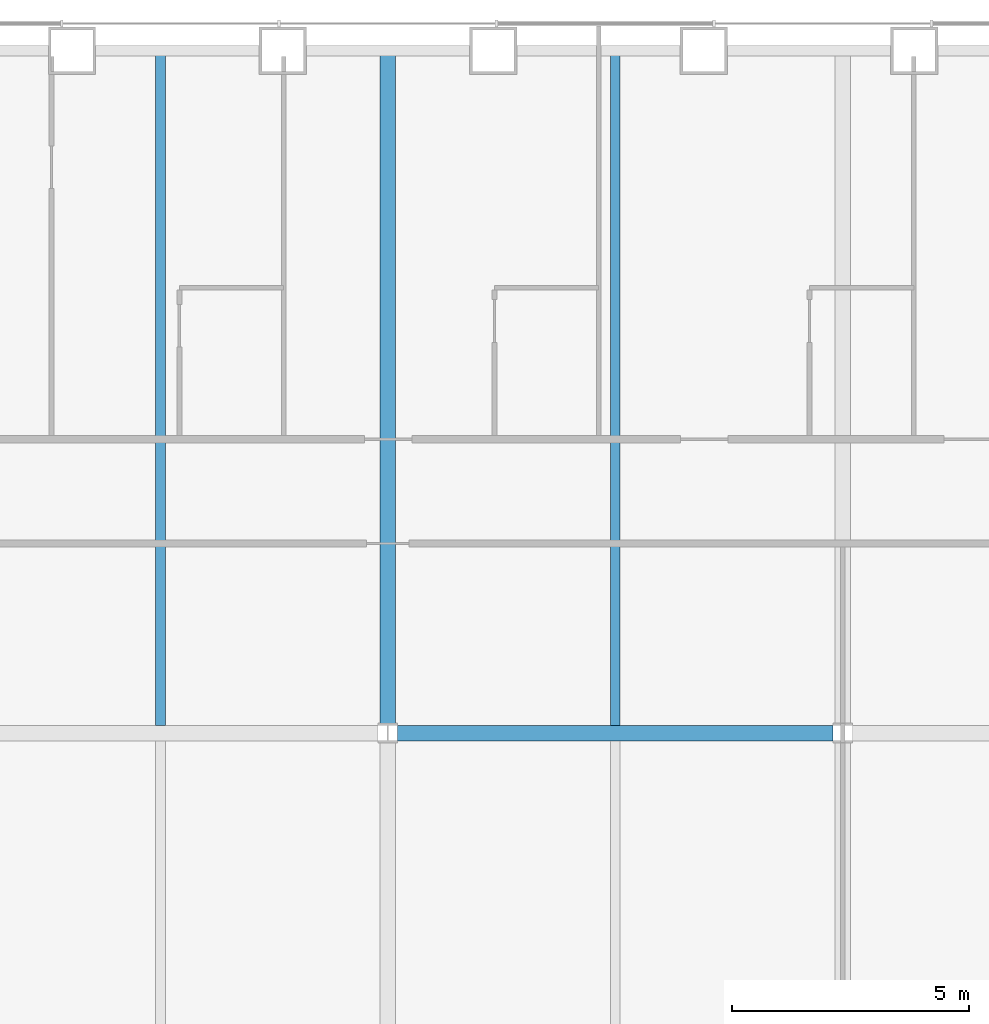
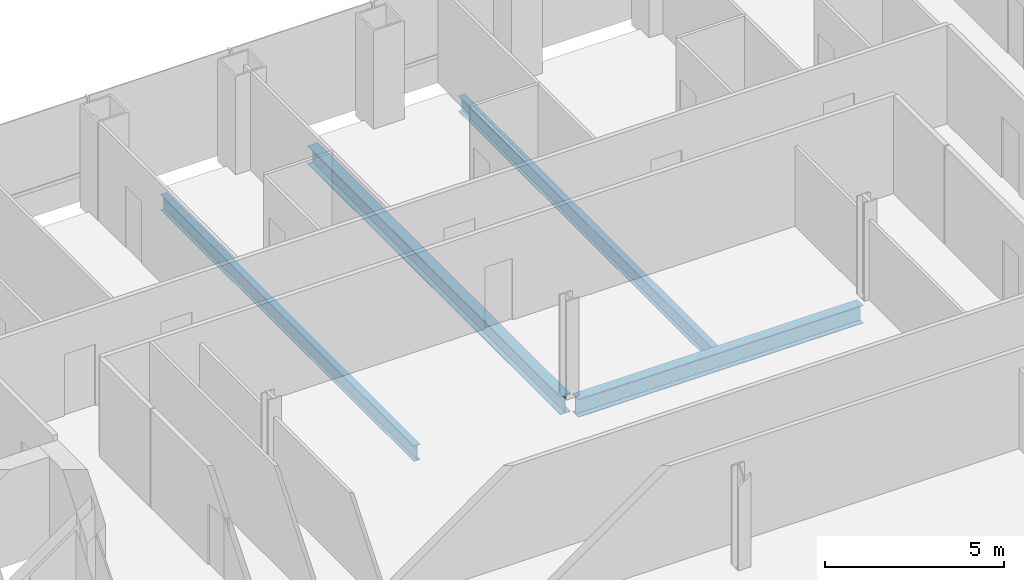
# One storey, part 8 of 21: 4 beams.
"""IFC4 building model written with IfcOpenShell, lengths in metres."""

from ifc_helpers import new_model, si_unit, direction, frame, origin, origin_2d, place, context, subcontext, project, spatial, i_section, extrude, material, material_profile, profile_set, type_object, element, save


model = new_model("IFC4")

# Units and contexts
model_context = context("Model", 3, precision=1e-05, world=origin(), true_north=direction((0.0, 1.0)))
body_context = subcontext(model_context, "Body", "Model", "MODEL_VIEW")
ifc_project = project(units=[si_unit("LENGTHUNIT", "METRE"), si_unit("AREAUNIT", "SQUARE_METRE"), si_unit("VOLUMEUNIT", "CUBIC_METRE"), si_unit("PLANEANGLEUNIT", "RADIAN"), si_unit("MASSUNIT", "GRAM", prefix="KILO")], contexts=[model_context])

# Site, building, storey
site_placement = place(None, origin())
site = spatial("IfcSite", under=ifc_project, at=site_placement, CompositionType="ELEMENT")
building_placement = place(site_placement, origin())
building = spatial("IfcBuilding", under=site, at=building_placement, Name="Cobrizo Arcos Hotel Tower", CompositionType="ELEMENT")
storey_placement = place(building_placement, frame((0.0, 0.0, 42.5)))
storey = spatial("IfcBuildingStorey", under=building, at=storey_placement, Name="L08", CompositionType="ELEMENT", Elevation=42.5)

# Beams
ifc_material = material(Name="Steel ASTM A992 Grade 50", Category="steel")
ifc_material_profile_1 = material_profile(ifc_material, i_section(OverallWidth=0.209228515625, OverallDepth=0.533447265625, WebThickness=0.01025390625, FlangeThickness=0.015625, at=origin_2d()), Name="W21X62")
ifc_profile_set_1 = profile_set([ifc_material_profile_1], Name="Steel ASTM A992 Grade 50")
beam_type_1 = type_object("IfcBeamType", Name="W21X62 joist", PredefinedType="JOIST", material=ifc_profile_set_1)
for number, where, z_axis, x_axis, name in (
    (1, (-4.800048828125, 9.763916015625, -0.416748046875), (0.0, 1.0, 0.0), (-1.0, 0.0, 0.0), "Floor joist J1, L08, no. 010"),
    (2, (4.800048828125, 9.763916015625, -0.416748046875), (0.0, 1.0, 0.0), (-1.0, 0.0, 0.0), "Floor joist J1, L08, no. 014"),
):
    element("IfcBeam", number, at=place(storey_placement, frame(where, z_axis=z_axis, x_axis=x_axis)), inside=storey, type_object=beam_type_1, Name=name, PredefinedType="JOIST", context=body_context, shape_type="SweptSolid", body=[
        extrude(i_section(OverallWidth=0.209228515625, OverallDepth=0.533447265625, WebThickness=0.01025390625, FlangeThickness=0.015625, at=origin_2d()), origin(), (0.0, 0.0, 1.0), 14.14599609375),
    ])
ifc_material_profile_2 = material_profile(ifc_material, i_section(OverallWidth=0.32763671875, OverallDepth=0.622314453125, WebThickness=0.015380859375, FlangeThickness=0.0244140625, at=origin_2d()), Name="W24X131")
ifc_profile_set_2 = profile_set([ifc_material_profile_2], Name="Steel ASTM A992 Grade 50")
beam_type_2 = type_object("IfcBeamType", Name="W24X131 girder", PredefinedType="BEAM", material=ifc_profile_set_2)
beam_1_placement = place(storey_placement, frame((0.204345703125, 9.60009765625, -0.461181640625), z_axis=(1.0, 0.0, 0.0), x_axis=(0.0, 1.0, 0.0)))
element("IfcBeam", 3, at=beam_1_placement, inside=storey, type_object=beam_type_2, Name="Floor girder G1, L08, no. 011", PredefinedType="BEAM", context=body_context, shape_type="SweptSolid", body=[
    extrude(i_section(OverallWidth=0.32763671875, OverallDepth=0.622314453125, WebThickness=0.015380859375, FlangeThickness=0.0244140625, at=origin_2d()), origin(), (0.0, 0.0, 1.0), 9.191162109375),
])
beam_2_placement = place(storey_placement, frame((0.0, 9.804443359375, -0.461181640625), z_axis=(0.0, 1.0, 0.0), x_axis=(-1.0, 0.0, 0.0)))
element("IfcBeam", 4, at=beam_2_placement, inside=storey, type_object=beam_type_2, Name="Floor girder G1, L08, no. 020", PredefinedType="BEAM", context=body_context, shape_type="SweptSolid", body=[
    extrude(i_section(OverallWidth=0.32763671875, OverallDepth=0.622314453125, WebThickness=0.015380859375, FlangeThickness=0.0244140625, at=origin_2d()), origin(), (0.0, 0.0, 1.0), 14.10546875),
])

save(model, "model.ifc")
